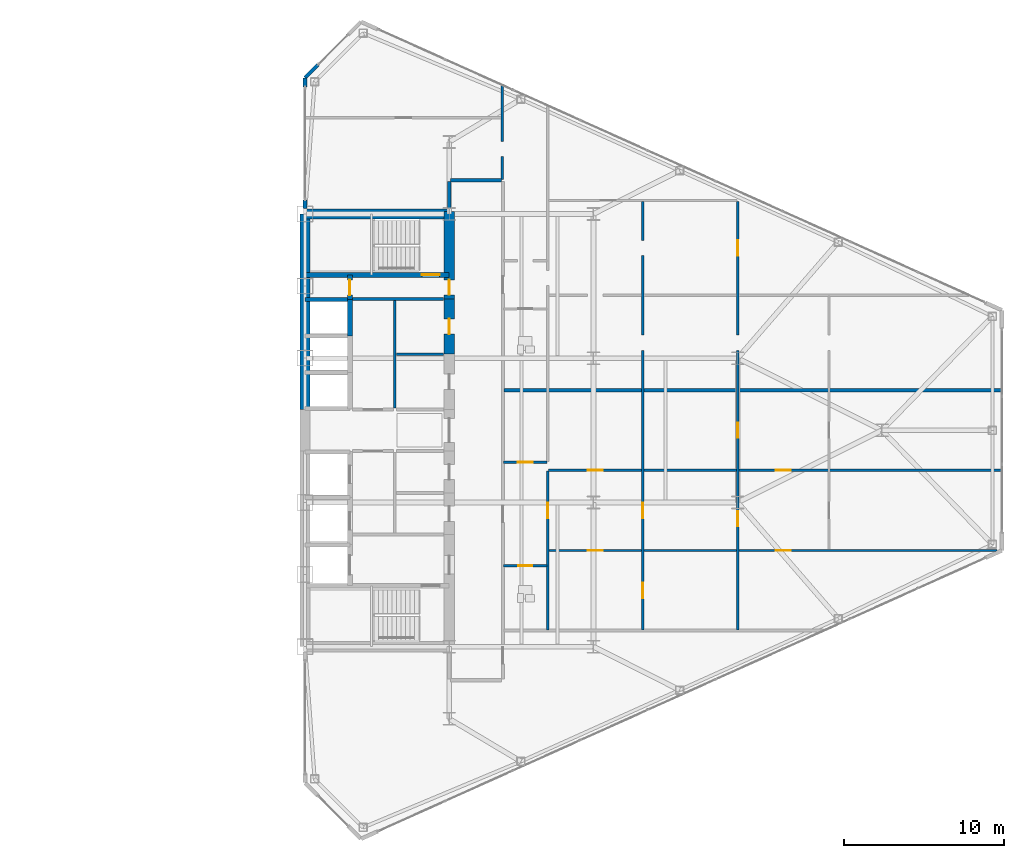
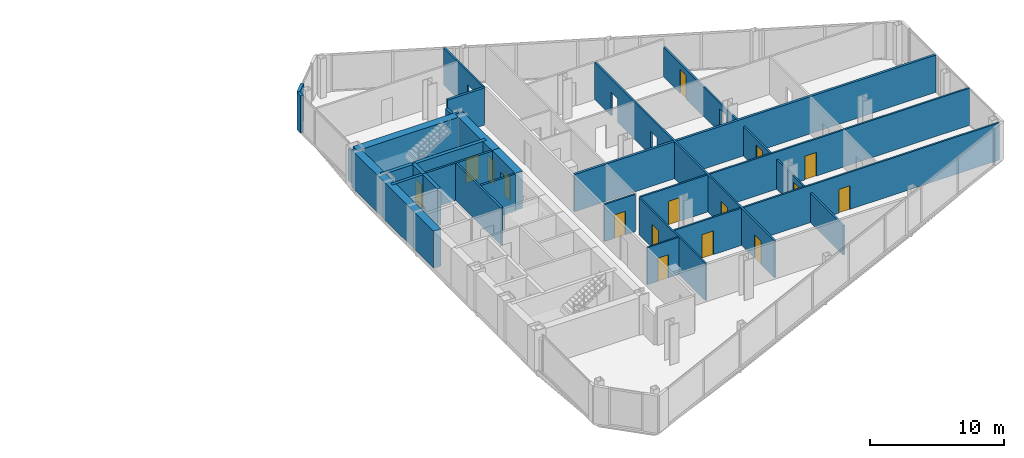
# One storey, part 23 of 27: 25 walls, 16 doors, 20 openings.
"""IFC4 building model written with IfcOpenShell, lengths in metres."""

from ifc_helpers import new_model, si_unit, direction, frame, frame_2d, origin, place, context, subcontext, project, spatial, rectangle, extrude, source, transform, mapped, material, layer, layer_set, type_object, type_shapes, element, fill, save


model = new_model("IFC4")

# Units and contexts
model_context = context("Model", 3, precision=1e-05, world=origin(), true_north=direction((0.0, 1.0)))
body_context = subcontext(model_context, "Body", "Model", "MODEL_VIEW")
ifc_project = project(units=[si_unit("LENGTHUNIT", "METRE"), si_unit("AREAUNIT", "SQUARE_METRE"), si_unit("VOLUMEUNIT", "CUBIC_METRE"), si_unit("PLANEANGLEUNIT", "RADIAN"), si_unit("MASSUNIT", "GRAM", prefix="KILO")], contexts=[model_context])

# Site, building, storey
site_placement = place(None, origin())
site = spatial("IfcSite", under=ifc_project, at=site_placement, CompositionType="ELEMENT")
building_placement = place(site_placement, origin())
building = spatial("IfcBuilding", under=site, at=building_placement, Name="Seokmaru Belvedere", CompositionType="ELEMENT")
storey_placement = place(building_placement, frame((0.0, 0.0, 96.0)))
storey = spatial("IfcBuildingStorey", under=building, at=storey_placement, Name="L25", CompositionType="ELEMENT", Elevation=96.0)

# Wall, openings, doors
ifc_material_1 = material(Name="Fire-Rated Gypsum Shaftwall")
ifc_layer_1 = layer(ifc_material_1, 0.14990234375)
ifc_layer_set_1 = layer_set([ifc_layer_1], Name="Fire-Rated Gypsum Shaftwall")
wall_type_1 = type_object("IfcWallType", Name="Apartment Fire-Acoustic Room Partition 150", PredefinedType="PARTITIONING", material=ifc_layer_set_1)
wall_1_placement = place(storey_placement, frame((42.699951171875, -7.5, 0.0), z_axis=(0.0, 0.0, 1.0), x_axis=(1.0, 0.0, 0.0)))
wall_1 = element("IfcWall", 1, at=wall_1_placement, inside=storey, type_object=wall_type_1, Name="L25 Interior Partition 008", PredefinedType="PARTITIONING", context=body_context, shape_type="SweptSolid", body=[
    extrude(rectangle(XDim=27.995361328125, YDim=0.14990234375, at=frame_2d((13.99755859375, 0.0))), origin(), (0.0, 0.0, 1.0), 3.3798828125),
])
opening_1_placement = place(wall_1_placement, frame((2.4375, 0.0, 0.0)))
opening_1 = element("IfcOpeningElement", 2, at=opening_1_placement, cuts=wall_1, Name="Opening D05", PredefinedType="OPENING", context=body_context, shape_type="SweptSolid", body=[
    extrude(rectangle(XDim=0.949951171875, YDim=2.14990234375, at=frame_2d((0.47509765625, 1.074951171875))), frame((0.0, 0.0849609375, 0.0), z_axis=(0.0, -1.0, 0.0), x_axis=(1.0, 0.0, 0.0)), (0.0, 0.0, 1.0), 0.169921875),
])
opening_2_placement = place(wall_1_placement, frame((14.175048828125, 0.0, 0.0)))
opening_2 = element("IfcOpeningElement", 3, at=opening_2_placement, cuts=wall_1, Name="Opening D05", PredefinedType="OPENING", context=body_context, shape_type="SweptSolid", body=[
    extrude(rectangle(XDim=0.949951171875, YDim=2.14990234375, at=frame_2d((0.47509765625, 1.074951171875))), frame((0.0, 0.0849609375, 0.0), z_axis=(0.0, -1.0, 0.0), x_axis=(1.0, 0.0, 0.0)), (0.0, 0.0, 1.0), 0.169921875),
])
ifc_material_2 = material(Name="Engineered White Oak Timber", Category="wood")
door_type_1 = type_object("IfcDoorType", Name="Apartment Interior Fire-Rated Oak Door 950x2150", OperationType="NOTDEFINED", PredefinedType="DOOR", material=ifc_material_2)
shared_shape_1 = source(origin(), body_context, "Body", "SweptSolid", [
    extrude(rectangle(XDim=0.949951171875, YDim=2.14990234375, at=frame_2d((0.47509765625, 1.074951171875))), frame((0.0, 0.02490234375, 0.0), z_axis=(0.0, -1.0, 0.0), x_axis=(1.0, 0.0, 0.0)), (0.0, 0.0, 1.0), 0.050048828125),
])
type_shapes(door_type_1, [shared_shape_1])
door_1_placement = place(opening_1_placement, origin())
door_1 = element("IfcDoor", 4, at=door_1_placement, inside=storey, type_object=door_type_1, Name="L25 Interior Door 039", OperationType="SINGLE_SWING_LEFT", OverallHeight=2.14990234375, OverallWidth=0.949951171875, PredefinedType="DOOR", context=body_context, shape_type="MappedRepresentation", body=[
    mapped(shared_shape_1, transform((0.0, 0.0, 0.0), scale=1.0)),
])
fill(opening_1, door_1)
door_2_placement = place(opening_2_placement, origin())
door_2 = element("IfcDoor", 5, at=door_2_placement, inside=storey, type_object=door_type_1, Name="L25 Interior Door 043", OperationType="SINGLE_SWING_RIGHT", OverallHeight=2.14990234375, OverallWidth=0.949951171875, PredefinedType="DOOR", context=body_context, shape_type="MappedRepresentation", body=[
    mapped(shared_shape_1, transform((0.0, 0.0, 0.0), scale=1.0)),
])
fill(opening_2, door_2)

wall_2_placement = place(storey_placement, frame((42.699951171875, -2.5, 0.0), z_axis=(0.0, 0.0, 1.0), x_axis=(1.0, 0.0, 0.0)))
wall_2 = element("IfcWall", 6, at=wall_2_placement, inside=storey, type_object=wall_type_1, Name="L25 Interior Partition 012", PredefinedType="PARTITIONING", context=body_context, shape_type="SweptSolid", body=[
    extrude(rectangle(XDim=28.3349609375, YDim=0.14990234375, at=frame_2d((14.16748046875, 0.0))), origin(), (0.0, 0.0, 1.0), 3.3798828125),
])
opening_3_placement = place(wall_2_placement, frame((2.4375, 0.0, 0.0)))
opening_3 = element("IfcOpeningElement", 7, at=opening_3_placement, cuts=wall_2, Name="Opening D05", PredefinedType="OPENING", context=body_context, shape_type="SweptSolid", body=[
    extrude(rectangle(XDim=0.949951171875, YDim=2.14990234375, at=frame_2d((0.47509765625, 1.074951171875))), frame((0.0, 0.0849609375, 0.0), z_axis=(0.0, -1.0, 0.0), x_axis=(1.0, 0.0, 0.0)), (0.0, 0.0, 1.0), 0.169921875),
])
opening_4_placement = place(wall_2_placement, frame((14.175048828125, 0.0, 0.0)))
opening_4 = element("IfcOpeningElement", 8, at=opening_4_placement, cuts=wall_2, Name="Opening D05", PredefinedType="OPENING", context=body_context, shape_type="SweptSolid", body=[
    extrude(rectangle(XDim=0.949951171875, YDim=2.14990234375, at=frame_2d((0.47509765625, 1.074951171875))), frame((0.0, 0.0849609375, 0.0), z_axis=(0.0, -1.0, 0.0), x_axis=(1.0, 0.0, 0.0)), (0.0, 0.0, 1.0), 0.169921875),
])
door_3_placement = place(opening_3_placement, origin())
door_3 = element("IfcDoor", 9, at=door_3_placement, inside=storey, type_object=door_type_1, Name="L25 Interior Door 041", OperationType="SINGLE_SWING_RIGHT", OverallHeight=2.14990234375, OverallWidth=0.949951171875, PredefinedType="DOOR", context=body_context, shape_type="MappedRepresentation", body=[
    mapped(shared_shape_1, transform((0.0, 0.0, 0.0), scale=1.0)),
])
fill(opening_3, door_3)
door_4_placement = place(opening_4_placement, origin())
door_4 = element("IfcDoor", 10, at=door_4_placement, inside=storey, type_object=door_type_1, Name="L25 Interior Door 045", OperationType="SINGLE_SWING_RIGHT", OverallHeight=2.14990234375, OverallWidth=0.949951171875, PredefinedType="DOOR", context=body_context, shape_type="MappedRepresentation", body=[
    mapped(shared_shape_1, transform((0.0, 0.0, 0.0), scale=1.0)),
])
fill(opening_4, door_4)

# Wall, opening, door
wall_3_placement = place(storey_placement, frame((39.89990234375, -2.0, 0.0), z_axis=(0.0, 0.0, 1.0), x_axis=(1.0, 0.0, 0.0)))
wall_3 = element("IfcWall", 11, at=wall_3_placement, inside=storey, type_object=wall_type_1, Name="L25 Interior Partition 013", PredefinedType="PARTITIONING", context=body_context, shape_type="SweptSolid", body=[
    extrude(rectangle(XDim=2.7001953125, YDim=0.14990234375, at=frame_2d((1.35009765625, 0.0))), origin(), (0.0, 0.0, 1.0), 3.3798828125),
])
opening_5_placement = place(wall_3_placement, frame((0.875, 0.0, 0.0)))
opening_5 = element("IfcOpeningElement", 12, at=opening_5_placement, cuts=wall_3, Name="Opening D05", PredefinedType="OPENING", context=body_context, shape_type="SweptSolid", body=[
    extrude(rectangle(XDim=0.949951171875, YDim=2.14990234375, at=frame_2d((0.47509765625, 1.074951171875))), frame((0.0, 0.0849609375, 0.0), z_axis=(0.0, -1.0, 0.0), x_axis=(1.0, 0.0, 0.0)), (0.0, 0.0, 1.0), 0.169921875),
])
door_5_placement = place(opening_5_placement, origin())
door_5 = element("IfcDoor", 13, at=door_5_placement, inside=storey, type_object=door_type_1, Name="L25 Interior Door 037", OperationType="SINGLE_SWING_RIGHT", OverallHeight=2.14990234375, OverallWidth=0.949951171875, PredefinedType="DOOR", context=body_context, shape_type="MappedRepresentation", body=[
    mapped(shared_shape_1, transform((0.0, 0.0, 0.0), scale=1.0)),
])
fill(opening_5, door_5)

# Wall, opening
wall_4_placement = place(storey_placement, frame((39.800048828125, 15.64990234375, 0.0), z_axis=(0.0, 0.0, 1.0), x_axis=(0.0, 1.0, 0.0)))
wall_4 = element("IfcWall", 14, at=wall_4_placement, inside=storey, type_object=wall_type_1, Name="L25 Interior Partition 045", PredefinedType="PARTITIONING", context=body_context, shape_type="SweptSolid", body=[
    extrude(rectangle(XDim=5.925048828125, YDim=0.14990234375, at=frame_2d((2.96240234375, 0.0))), origin(), (0.0, 0.0, 1.0), 3.3798828125),
])
opening_6_placement = place(wall_4_placement, frame((1.425048828125, 0.0, 0.0)))
element("IfcOpeningElement", 15, at=opening_6_placement, cuts=wall_4, Name="L25 Cased Opening 060", PredefinedType="OPENING", context=body_context, shape_type="SweptSolid", body=[
    extrude(rectangle(XDim=0.949951171875, YDim=2.14990234375, at=frame_2d((0.47509765625, 1.074951171875))), frame((0.0, 0.0849609375, 0.0), z_axis=(0.0, -1.0, 0.0), x_axis=(1.0, 0.0, 0.0)), (0.0, 0.0, 1.0), 0.169921875),
])

# Wall, openings, doors
wall_5_placement = place(storey_placement, frame((48.580078125, -12.449951171875, 0.0), z_axis=(0.0, 0.0, 1.0), x_axis=(0.0, 1.0, 0.0)))
wall_5 = element("IfcWall", 16, at=wall_5_placement, inside=storey, type_object=wall_type_1, Name="L25 Interior Partition 049", PredefinedType="PARTITIONING", context=body_context, shape_type="SweptSolid", body=[
    extrude(rectangle(XDim=26.738037109375, YDim=0.14990234375, at=frame_2d((13.369140625, 0.0))), origin(), (0.0, 0.0, 1.0), 3.3798828125),
])
opening_7_placement = place(wall_5_placement, frame((6.97509765625, 0.0, 0.0)))
opening_7 = element("IfcOpeningElement", 17, at=opening_7_placement, cuts=wall_5, Name="Opening D05", PredefinedType="OPENING", context=body_context, shape_type="SweptSolid", body=[
    extrude(rectangle(XDim=0.949951171875, YDim=2.14990234375, at=frame_2d((0.47509765625, 1.074951171875))), frame((0.0, 0.0849609375, 0.0), z_axis=(0.0, -1.0, 0.0), x_axis=(1.0, 0.0, 0.0)), (0.0, 0.0, 1.0), 0.169921875),
])
opening_8_placement = place(wall_5_placement, frame((1.97509765625, 0.0, 0.0)))
opening_8 = element("IfcOpeningElement", 18, at=opening_8_placement, cuts=wall_5, Name="Opening D05", PredefinedType="OPENING", context=body_context, shape_type="SweptSolid", body=[
    extrude(rectangle(XDim=0.949951171875, YDim=2.14990234375, at=frame_2d((0.47509765625, 1.074951171875))), frame((0.0, 0.0849609375, 0.0), z_axis=(0.0, -1.0, 0.0), x_axis=(1.0, 0.0, 0.0)), (0.0, 0.0, 1.0), 0.169921875),
])
opening_9_placement = place(wall_5_placement, frame((23.353759765625, 0.0, 0.0)))
element("IfcOpeningElement", 19, at=opening_9_placement, cuts=wall_5, Name="L25 Cased Opening 054", PredefinedType="OPENING", context=body_context, shape_type="SweptSolid", body=[
    extrude(rectangle(XDim=0.949951171875, YDim=2.14990234375, at=frame_2d((0.47509765625, 1.074951171875))), frame((0.0, 0.0849609375, 0.0), z_axis=(0.0, -1.0, 0.0), x_axis=(1.0, 0.0, 0.0)), (0.0, 0.0, 1.0), 0.169921875),
])
opening_10_placement = place(wall_5_placement, frame((17.4345703125, 0.0, 0.0)))
element("IfcOpeningElement", 20, at=opening_10_placement, cuts=wall_5, Name="L25 Cased Opening 057", PredefinedType="OPENING", context=body_context, shape_type="SweptSolid", body=[
    extrude(rectangle(XDim=0.949951171875, YDim=2.14990234375, at=frame_2d((0.47509765625, 1.074951171875))), frame((0.0, 0.0849609375, 0.0), z_axis=(0.0, -1.0, 0.0), x_axis=(1.0, 0.0, 0.0)), (0.0, 0.0, 1.0), 0.169921875),
])
door_6_placement = place(opening_7_placement, origin())
door_6 = element("IfcDoor", 21, at=door_6_placement, inside=storey, type_object=door_type_1, Name="L25 Interior Door 040", OperationType="SINGLE_SWING_RIGHT", OverallHeight=2.14990234375, OverallWidth=0.949951171875, PredefinedType="DOOR", context=body_context, shape_type="MappedRepresentation", body=[
    mapped(shared_shape_1, transform((0.0, 0.0, 0.0), scale=1.0)),
])
fill(opening_7, door_6)
door_7_placement = place(opening_8_placement, origin())
door_7 = element("IfcDoor", 22, at=door_7_placement, inside=storey, type_object=door_type_1, Name="L25 Interior Door 047", OperationType="SINGLE_SWING_LEFT", OverallHeight=2.14990234375, OverallWidth=0.949951171875, PredefinedType="DOOR", context=body_context, shape_type="MappedRepresentation", body=[
    mapped(shared_shape_1, transform((0.0, 0.0, 0.0), scale=1.0)),
])
fill(opening_8, door_7)

wall_6_placement = place(storey_placement, frame((54.5, -12.449951171875, 0.0), z_axis=(0.0, 0.0, 1.0), x_axis=(0.0, 1.0, 0.0)))
wall_6 = element("IfcWall", 23, at=wall_6_placement, inside=storey, type_object=wall_type_1, Name="L25 Interior Partition 050", PredefinedType="PARTITIONING", context=body_context, shape_type="SweptSolid", body=[
    extrude(rectangle(XDim=26.738037109375, YDim=0.14990234375, at=frame_2d((13.369140625, 0.0))), origin(), (0.0, 0.0, 1.0), 2.679931640625),
])
opening_11_placement = place(wall_6_placement, frame((6.4580078125, 0.0, 0.0)))
opening_11 = element("IfcOpeningElement", 24, at=opening_11_placement, cuts=wall_6, Name="Opening D05", PredefinedType="OPENING", context=body_context, shape_type="SweptSolid", body=[
    extrude(rectangle(XDim=0.949951171875, YDim=2.14990234375, at=frame_2d((0.47509765625, 1.074951171875))), frame((0.0, 0.0849609375, 0.0), z_axis=(0.0, -1.0, 0.0), x_axis=(1.0, 0.0, 0.0)), (0.0, 0.0, 1.0), 0.169921875),
])
opening_12_placement = place(wall_6_placement, frame((11.97509765625, 0.0, 0.0)))
opening_12 = element("IfcOpeningElement", 25, at=opening_12_placement, cuts=wall_6, Name="Opening D05", PredefinedType="OPENING", context=body_context, shape_type="SweptSolid", body=[
    extrude(rectangle(XDim=0.949951171875, YDim=2.14990234375, at=frame_2d((0.47509765625, 1.074951171875))), frame((0.0, 0.0849609375, 0.0), z_axis=(0.0, -1.0, 0.0), x_axis=(1.0, 0.0, 0.0)), (0.0, 0.0, 1.0), 0.169921875),
])
opening_13_placement = place(wall_6_placement, frame((23.353759765625, 0.0, 0.0)))
opening_13 = element("IfcOpeningElement", 26, at=opening_13_placement, cuts=wall_6, Name="Opening D05", PredefinedType="OPENING", context=body_context, shape_type="SweptSolid", body=[
    extrude(rectangle(XDim=0.949951171875, YDim=2.14990234375, at=frame_2d((0.47509765625, 1.074951171875))), frame((0.0, 0.0849609375, 0.0), z_axis=(0.0, -1.0, 0.0), x_axis=(1.0, 0.0, 0.0)), (0.0, 0.0, 1.0), 0.169921875),
])
opening_14_placement = place(wall_6_placement, frame((17.4345703125, 0.0, 0.0)))
element("IfcOpeningElement", 27, at=opening_14_placement, cuts=wall_6, Name="L25 Cased Opening 058", PredefinedType="OPENING", context=body_context, shape_type="SweptSolid", body=[
    extrude(rectangle(XDim=0.949951171875, YDim=2.14990234375, at=frame_2d((0.47509765625, 1.074951171875))), frame((0.0, 0.0849609375, 0.0), z_axis=(0.0, -1.0, 0.0), x_axis=(1.0, 0.0, 0.0)), (0.0, 0.0, 1.0), 0.169921875),
])
door_8_placement = place(opening_11_placement, origin())
door_8 = element("IfcDoor", 28, at=door_8_placement, inside=storey, type_object=door_type_1, Name="L25 Interior Door 042", OperationType="SINGLE_SWING_LEFT", OverallHeight=2.14990234375, OverallWidth=0.949951171875, PredefinedType="DOOR", context=body_context, shape_type="MappedRepresentation", body=[
    mapped(shared_shape_1, transform((0.0, 0.0, 0.0), scale=1.0)),
])
fill(opening_11, door_8)
door_9_placement = place(opening_12_placement, origin())
door_9 = element("IfcDoor", 29, at=door_9_placement, inside=storey, type_object=door_type_1, Name="L25 Interior Door 048", OperationType="SINGLE_SWING_RIGHT", OverallHeight=2.14990234375, OverallWidth=0.949951171875, PredefinedType="DOOR", context=body_context, shape_type="MappedRepresentation", body=[
    mapped(shared_shape_1, transform((0.0, 0.0, 0.0), scale=1.0)),
])
fill(opening_12, door_9)
door_10_placement = place(opening_13_placement, origin())
door_10 = element("IfcDoor", 30, at=door_10_placement, inside=storey, type_object=door_type_1, Name="L25 Interior Door 056", OperationType="SINGLE_SWING_LEFT", OverallHeight=2.14990234375, OverallWidth=0.949951171875, PredefinedType="DOOR", context=body_context, shape_type="MappedRepresentation", body=[
    mapped(shared_shape_1, transform((0.0, 0.0, 0.0), scale=1.0)),
])
fill(opening_13, door_10)

# Walls
ifc_layer_2 = layer(ifc_material_1, 0.179931640625)
ifc_layer_set_2 = layer_set([ifc_layer_2], Name="Fire-Rated Gypsum Shaftwall")
wall_type_2 = type_object("IfcWallType", Name="Core Service Fire Partition 180", PredefinedType="PARTITIONING", material=ifc_layer_set_2)
wall_7_placement = place(storey_placement, frame((30.449951171875, 8.199951171875, 0.0), z_axis=(0.0, 0.0, 1.0), x_axis=(1.0, 0.0, 0.0)))
element("IfcWall", 31, at=wall_7_placement, inside=storey, type_object=wall_type_2, Name="L25 East Smokeproof Vestibule Partition", PredefinedType="PARTITIONING", context=body_context, shape_type="SweptSolid", body=[
    extrude(rectangle(XDim=5.699951171875, YDim=0.179931640625, at=frame_2d((2.85009765625, 0.0))), origin(), (0.0, 0.0, 1.0), 3.3798828125),
])
wall_8_placement = place(storey_placement, frame((33.10009765625, 1.3798828125, 0.0), z_axis=(0.0, 0.0, 1.0), x_axis=(0.0, 1.0, 0.0)))
element("IfcWall", 32, at=wall_8_placement, inside=storey, type_object=wall_type_2, Name="L25 East North Core Service Back Wall", PredefinedType="PARTITIONING", context=body_context, shape_type="SweptSolid", body=[
    extrude(rectangle(XDim=6.740234375, YDim=0.179931640625, at=frame_2d((3.3701171875, 0.0))), origin(), (0.0, 0.0, 1.0), 3.3798828125),
])
wall_9_placement = place(storey_placement, frame((33.199951171875, 4.75, 0.0), z_axis=(0.0, 0.0, 1.0), x_axis=(1.0, 0.0, 0.0)))
element("IfcWall", 33, at=wall_9_placement, inside=storey, type_object=wall_type_2, Name="L25 East Core Service Partition 2", PredefinedType="PARTITIONING", context=body_context, shape_type="SweptSolid", body=[
    extrude(rectangle(XDim=2.949951171875, YDim=0.179931640625, at=frame_2d((1.47509765625, 0.0))), origin(), (0.0, 0.0, 1.0), 3.3798828125),
])
ifc_material_3 = material(Name="Concrete C50 (50 MPa)", Category="concrete")
ifc_layer_3 = layer(ifc_material_3, 0.25)
ifc_layer_set_3 = layer_set([ifc_layer_3], Name="Concrete C50 (50 MPa)")
wall_type_3 = type_object("IfcWallType", Name="Hoistway Transverse Concrete Divider Wall 250", PredefinedType="SHEAR", material=ifc_layer_set_3)
wall_10_placement = place(storey_placement, frame((27.5, 8.14990234375, 0.0), z_axis=(0.0, 0.0, 1.0), x_axis=(1.0, 0.0, 0.0)))
element("IfcWall", 34, at=wall_10_placement, inside=storey, type_object=wall_type_3, Name="L25 East Hoistway Divider Core Wall 7", PredefinedType="SHEAR", context=body_context, shape_type="SweptSolid", body=[
    extrude(rectangle(XDim=2.800048828125, YDim=0.25, at=frame_2d((1.39990234375, 0.0))), origin(), (0.0, 0.0, 1.0), 3.3798828125),
])
ifc_layer_4 = layer(ifc_material_1, 0.199951171875)
ifc_layer_set_4 = layer_set([ifc_layer_4], Name="Fire-Rated Gypsum Shaftwall")
wall_type_4 = type_object("IfcWallType", Name="Inter-Tenancy Fire Compartment Partition 200", PredefinedType="PARTITIONING", material=ifc_layer_set_4)
wall_11_placement = place(storey_placement, frame((39.929931640625, 2.5, 0.0), z_axis=(0.0, 0.0, 1.0), x_axis=(1.0, 0.0, 0.0)))
element("IfcWall", 35, at=wall_11_placement, inside=storey, type_object=wall_type_4, Name="L25 Interior Partition 016", PredefinedType="PARTITIONING", context=body_context, shape_type="SweptSolid", body=[
    extrude(rectangle(XDim=31.074951171875, YDim=0.199951171875, at=frame_2d((15.53759765625, 0.0))), origin(), (0.0, 0.0, 1.0), 3.3798828125),
])
wall_12_placement = place(storey_placement, frame((36.5849609375, 15.60009765625, 0.0), z_axis=(0.0, 0.0, 1.0), x_axis=(1.0, 0.0, 0.0)))
element("IfcWall", 36, at=wall_12_placement, inside=storey, type_object=wall_type_4, Name="L25 Interior Partition 028", PredefinedType="PARTITIONING", context=body_context, shape_type="SweptSolid", body=[
    extrude(rectangle(XDim=3.179931640625, YDim=0.199951171875, at=frame_2d((1.58984375, 0.0))), origin(), (0.0, 0.0, 1.0), 3.3798828125),
])
wall_13_placement = place(storey_placement, frame((36.5, 13.830078125, 0.0), z_axis=(0.0, 0.0, 1.0), x_axis=(0.0, 1.0, 0.0)))
element("IfcWall", 37, at=wall_13_placement, inside=storey, type_object=wall_type_4, Name="L25 Interior Partition 044", PredefinedType="PARTITIONING", context=body_context, shape_type="SweptSolid", body=[
    extrude(rectangle(XDim=1.684814453125, YDim=0.199951171875, at=frame_2d((0.84228515625, 0.0))), origin(), (0.0, 0.0, 1.0), 2.679931640625),
])

# Wall, opening, door
ifc_layer_5 = layer(ifc_material_3, 0.300048828125)
ifc_layer_set_5 = layer_set([ifc_layer_5], Name="Concrete C50 (50 MPa)")
wall_type_5 = type_object("IfcWallType", Name="Internal Core Stair and Hoistway Wall 300", PredefinedType="SHEAR", material=ifc_layer_set_5)
wall_14_placement = place(storey_placement, frame((27.5, 9.699951171875, 0.0), z_axis=(0.0, 0.0, 1.0), x_axis=(1.0, 0.0, 0.0)))
wall_14 = element("IfcWall", 38, at=wall_14_placement, inside=storey, type_object=wall_type_5, Name="L25 East Stair ST-2 Enclosure Wall", PredefinedType="SHEAR", context=body_context, shape_type="SweptSolid", body=[
    extrude(rectangle(XDim=9.0, YDim=0.300048828125, at=frame_2d((4.5, 0.0))), origin(), (0.0, 0.0, 1.0), 3.3798828125),
])
opening_15_placement = place(wall_14_placement, frame((7.300048828125, 0.0, 0.0)))
opening_15 = element("IfcOpeningElement", 39, at=opening_15_placement, cuts=wall_14, Name="Opening D01", PredefinedType="OPENING", context=body_context, shape_type="SweptSolid", body=[
    extrude(rectangle(XDim=1.10009765625, YDim=2.199951171875, at=frame_2d((0.550048828125, 1.10009765625))), frame((0.0, 0.16015625, 0.0), z_axis=(0.0, -1.0, 0.0), x_axis=(1.0, 0.0, 0.0)), (0.0, 0.0, 1.0), 0.320068359375),
])
ifc_material_4 = material(Name="Fire-Rated Steel Leaf", Category="steel")
door_type_2 = type_object("IfcDoorType", Name="Special Escape Stair Smokeproof Fire Door 1100x2200", OperationType="NOTDEFINED", PredefinedType="DOOR", material=ifc_material_4)
shared_shape_2 = source(origin(), body_context, "Body", "SweptSolid", [
    extrude(rectangle(XDim=1.10009765625, YDim=2.199951171875, at=frame_2d((0.550048828125, 1.10009765625))), frame((0.0, 0.02490234375, 0.0), z_axis=(0.0, -1.0, 0.0), x_axis=(1.0, 0.0, 0.0)), (0.0, 0.0, 1.0), 0.050048828125),
])
type_shapes(door_type_2, [shared_shape_2])
door_11_placement = place(opening_15_placement, origin())
door_11 = element("IfcDoor", 40, at=door_11_placement, inside=storey, type_object=door_type_2, Name="L25 East Special Escape Stair ST-2 Door", OperationType="SINGLE_SWING_LEFT", OverallHeight=2.199951171875, OverallWidth=1.10009765625, PredefinedType="DOOR", context=body_context, shape_type="MappedRepresentation", body=[
    mapped(shared_shape_2, transform((0.0, 0.0, 0.0), scale=1.0)),
])
fill(opening_15, door_11)

# Wall
wall_15_placement = place(storey_placement, frame((30.300048828125, 5.89990234375, 0.0), z_axis=(0.0, 0.0, 1.0), x_axis=(0.0, 1.0, 0.0)))
element("IfcWall", 41, at=wall_15_placement, inside=storey, type_object=wall_type_5, Name="L25 East North Hoistway Wall OBS", PredefinedType="SHEAR", context=body_context, shape_type="SweptSolid", body=[
    extrude(rectangle(XDim=2.25, YDim=0.300048828125, at=frame_2d((1.125, 0.0))), origin(), (0.0, 0.0, 1.0), 3.3798828125),
])

# Wall, opening, door
wall_16_placement = place(storey_placement, frame((30.300048828125, 8.14990234375, 0.0), z_axis=(0.0, 0.0, 1.0), x_axis=(0.0, 1.0, 0.0)))
wall_16 = element("IfcWall", 42, at=wall_16_placement, inside=storey, type_object=wall_type_5, Name="L25 East Electrical Riser Front Wall", PredefinedType="SHEAR", context=body_context, shape_type="SweptSolid", body=[
    extrude(rectangle(XDim=1.530029296875, YDim=0.300048828125, at=frame_2d((0.76513671875, 0.0))), origin(), (0.0, 0.0, 1.0), 3.3798828125),
])
opening_16_placement = place(wall_16_placement, frame((0.284912109375, 0.0, 0.0)))
opening_16 = element("IfcOpeningElement", 43, at=opening_16_placement, cuts=wall_16, Name="Opening D04", PredefinedType="OPENING", context=body_context, shape_type="SweptSolid", body=[
    extrude(rectangle(XDim=0.949951171875, YDim=2.14990234375, at=frame_2d((0.47509765625, 1.074951171875))), frame((0.0, 0.16015625, 0.0), z_axis=(0.0, -1.0, 0.0), x_axis=(1.0, 0.0, 0.0)), (0.0, 0.0, 1.0), 0.320068359375),
])
door_type_3 = type_object("IfcDoorType", Name="Core Service Room Fire Door 950x2150", OperationType="NOTDEFINED", PredefinedType="DOOR", material=ifc_material_4)
shared_shape_3 = source(origin(), body_context, "Body", "SweptSolid", [
    extrude(rectangle(XDim=0.949951171875, YDim=2.14990234375, at=frame_2d((0.47509765625, 1.074951171875))), frame((0.0, 0.02490234375, 0.0), z_axis=(0.0, -1.0, 0.0), x_axis=(1.0, 0.0, 0.0)), (0.0, 0.0, 1.0), 0.050048828125),
])
type_shapes(door_type_3, [shared_shape_3])
door_12_placement = place(opening_16_placement, origin())
door_12 = element("IfcDoor", 44, at=door_12_placement, inside=storey, type_object=door_type_3, Name="L25 East Electrical Riser Access Door", OperationType="SINGLE_SWING_RIGHT", OverallHeight=2.14990234375, OverallWidth=0.949951171875, PredefinedType="DOOR", context=body_context, shape_type="MappedRepresentation", body=[
    mapped(shared_shape_3, transform((0.0, 0.0, 0.0), scale=1.0)),
])
fill(opening_16, door_12)

# Walls
ifc_material_5 = material(Name="Concrete C60 (60 MPa)", Category="concrete")
ifc_layer_6 = layer(ifc_material_5, 0.64990234375)
ifc_layer_set_6 = layer_set([ifc_layer_6], Name="Concrete C60 (60 MPa)")
wall_type_6 = type_object("IfcWallType", Name="Mid-Low Reinforced Concrete Core Wall 650", PredefinedType="SHEAR", material=ifc_layer_set_6)
wall_17_placement = place(storey_placement, frame((27.5, 1.300048828125, 0.0), z_axis=(0.0, 0.0, 1.0), x_axis=(0.0, 1.0, 0.0)))
element("IfcWall", 45, at=wall_17_placement, inside=storey, type_object=wall_type_6, Name="L25 East Portal Spine Core Wall North", PredefinedType="SHEAR", context=body_context, shape_type="SweptSolid", body=[
    extrude(rectangle(XDim=12.199951171875, YDim=0.64990234375, at=frame_2d((6.10009765625, 0.0))), origin(), (0.0, 0.0, 1.0), 3.3798828125),
])
wall_18_placement = place(storey_placement, frame((27.5, 13.5, 0.0), z_axis=(0.0, 0.0, 1.0), x_axis=(1.0, 0.0, 0.0)))
element("IfcWall", 46, at=wall_18_placement, inside=storey, type_object=wall_type_6, Name="L25 East North Core Wall", PredefinedType="SHEAR", context=body_context, shape_type="SweptSolid", body=[
    extrude(rectangle(XDim=9.0, YDim=0.64990234375, at=frame_2d((4.5, 0.0))), origin(), (0.0, 0.0, 1.0), 3.3798828125),
])

# Wall, opening, door
wall_19_placement = place(storey_placement, frame((36.5, 8.199951171875, 0.0), z_axis=(0.0, 0.0, 1.0), x_axis=(0.0, 1.0, 0.0)))
wall_19 = element("IfcWall", 47, at=wall_19_placement, inside=storey, type_object=wall_type_6, Name="L25 East West Core Wall VST", PredefinedType="SHEAR", context=body_context, shape_type="SweptSolid", body=[
    extrude(rectangle(XDim=5.449951171875, YDim=0.64990234375, at=frame_2d((2.72509765625, 0.0))), origin(), (0.0, 0.0, 1.0), 3.3798828125),
])
opening_17_placement = place(wall_19_placement, frame((0.2451171875, 0.0, 0.0)))
opening_17 = element("IfcOpeningElement", 48, at=opening_17_placement, cuts=wall_19, Name="Opening D04", PredefinedType="OPENING", context=body_context, shape_type="SweptSolid", body=[
    extrude(rectangle(XDim=0.949951171875, YDim=2.14990234375, at=frame_2d((0.47509765625, 1.074951171875))), frame((0.0, 0.3349609375, 0.0), z_axis=(0.0, -1.0, 0.0), x_axis=(1.0, 0.0, 0.0)), (0.0, 0.0, 1.0), 0.669921875),
])
door_13_placement = place(opening_17_placement, origin())
door_13 = element("IfcDoor", 49, at=door_13_placement, inside=storey, type_object=door_type_3, Name="L25 East Smokeproof Vestibule Door", OperationType="SINGLE_SWING_LEFT", OverallHeight=2.14990234375, OverallWidth=0.949951171875, PredefinedType="DOOR", context=body_context, shape_type="MappedRepresentation", body=[
    mapped(shared_shape_3, transform((0.0, 0.0, 0.0), scale=1.0)),
])
fill(opening_17, door_13)

wall_20_placement = place(storey_placement, frame((36.5, 4.75, 0.0), z_axis=(0.0, 0.0, 1.0), x_axis=(0.0, 1.0, 0.0)))
wall_20 = element("IfcWall", 50, at=wall_20_placement, inside=storey, type_object=wall_type_6, Name="L25 East West Core Wall CS4", PredefinedType="SHEAR", context=body_context, shape_type="SweptSolid", body=[
    extrude(rectangle(XDim=3.449951171875, YDim=0.64990234375, at=frame_2d((1.72509765625, 0.0))), origin(), (0.0, 0.0, 1.0), 3.3798828125),
])
opening_18_placement = place(wall_20_placement, frame((1.25, 0.0, 0.0)))
opening_18 = element("IfcOpeningElement", 51, at=opening_18_placement, cuts=wall_20, Name="Opening D04", PredefinedType="OPENING", context=body_context, shape_type="SweptSolid", body=[
    extrude(rectangle(XDim=0.949951171875, YDim=2.14990234375, at=frame_2d((0.47509765625, 1.074951171875))), frame((0.0, 0.3349609375, 0.0), z_axis=(0.0, -1.0, 0.0), x_axis=(1.0, 0.0, 0.0)), (0.0, 0.0, 1.0), 0.669921875),
])
door_14_placement = place(opening_18_placement, origin())
door_14 = element("IfcDoor", 52, at=door_14_placement, inside=storey, type_object=door_type_3, Name="L25 East Core Service Room Door 4", OperationType="SINGLE_SWING_LEFT", OverallHeight=2.14990234375, OverallWidth=0.949951171875, PredefinedType="DOOR", context=body_context, shape_type="MappedRepresentation", body=[
    mapped(shared_shape_3, transform((0.0, 0.0, 0.0), scale=1.0)),
])
fill(opening_18, door_14)

ifc_layer_7 = layer(ifc_material_1, 0.1298828125)
ifc_layer_set_7 = layer_set([ifc_layer_7], Name="Fire-Rated Gypsum Shaftwall")
wall_type_7 = type_object("IfcWallType", Name="Moisture-Resistant Fire-Rated Bathroom Partition 130", PredefinedType="PARTITIONING", material=ifc_layer_set_7)
wall_21_placement = place(storey_placement, frame((39.89990234375, -8.449951171875, 0.0), z_axis=(0.0, 0.0, 1.0), x_axis=(1.0, 0.0, 0.0)))
wall_21 = element("IfcWall", 53, at=wall_21_placement, inside=storey, type_object=wall_type_7, Name="L25 Interior Partition 007", PredefinedType="PARTITIONING", context=body_context, shape_type="SweptSolid", body=[
    extrude(rectangle(XDim=2.7001953125, YDim=0.1298828125, at=frame_2d((1.35009765625, 0.0))), origin(), (0.0, 0.0, 1.0), 3.3798828125),
])
opening_19_placement = place(wall_21_placement, frame((0.909912109375, 0.0, 0.0)))
opening_19 = element("IfcOpeningElement", 54, at=opening_19_placement, cuts=wall_21, Name="Opening D06", PredefinedType="OPENING", context=body_context, shape_type="SweptSolid", body=[
    extrude(rectangle(XDim=0.8798828125, YDim=2.10009765625, at=frame_2d((0.43994140625, 1.050048828125))), frame((0.0, 0.074951171875, 0.0), z_axis=(0.0, -1.0, 0.0), x_axis=(1.0, 0.0, 0.0)), (0.0, 0.0, 1.0), 0.14990234375),
])
door_type_4 = type_object("IfcDoorType", Name="Bathroom and Restroom Fire-Rated Door 880x2100", OperationType="NOTDEFINED", PredefinedType="DOOR", material=ifc_material_2)
shared_shape_4 = source(origin(), body_context, "Body", "SweptSolid", [
    extrude(rectangle(XDim=0.8798828125, YDim=2.10009765625, at=frame_2d((0.43994140625, 1.050048828125))), frame((0.0, 0.02490234375, 0.0), z_axis=(0.0, -1.0, 0.0), x_axis=(1.0, 0.0, 0.0)), (0.0, 0.0, 1.0), 0.050048828125),
])
type_shapes(door_type_4, [shared_shape_4])
door_15_placement = place(opening_19_placement, origin())
door_15 = element("IfcDoor", 55, at=door_15_placement, inside=storey, type_object=door_type_4, Name="L25 Interior Door 036", OperationType="SINGLE_SWING_RIGHT", OverallHeight=2.10009765625, OverallWidth=0.8798828125, PredefinedType="DOOR", context=body_context, shape_type="MappedRepresentation", body=[
    mapped(shared_shape_4, transform((0.0, 0.0, 0.0), scale=1.0)),
])
fill(opening_19, door_15)

wall_22_placement = place(storey_placement, frame((42.64990234375, -12.449951171875, 0.0), z_axis=(0.0, 0.0, 1.0), x_axis=(0.0, 1.0, 0.0)))
wall_22 = element("IfcWall", 56, at=wall_22_placement, inside=storey, type_object=wall_type_7, Name="L25 Interior Partition 047", PredefinedType="PARTITIONING", context=body_context, shape_type="SweptSolid", body=[
    extrude(rectangle(XDim=9.89990234375, YDim=0.1298828125, at=frame_2d((4.949951171875, 0.0))), origin(), (0.0, 0.0, 1.0), 3.3798828125),
])
opening_20_placement = place(wall_22_placement, frame((6.97509765625, 0.0, 0.0)))
opening_20 = element("IfcOpeningElement", 57, at=opening_20_placement, cuts=wall_22, Name="Opening D05", PredefinedType="OPENING", context=body_context, shape_type="SweptSolid", body=[
    extrude(rectangle(XDim=0.949951171875, YDim=2.14990234375, at=frame_2d((0.47509765625, 1.074951171875))), frame((0.0, 0.074951171875, 0.0), z_axis=(0.0, -1.0, 0.0), x_axis=(1.0, 0.0, 0.0)), (0.0, 0.0, 1.0), 0.14990234375),
])
door_16_placement = place(opening_20_placement, origin())
door_16 = element("IfcDoor", 58, at=door_16_placement, inside=storey, type_object=door_type_1, Name="L25 Interior Door 038", OperationType="SINGLE_SWING_LEFT", OverallHeight=2.14990234375, OverallWidth=0.949951171875, PredefinedType="DOOR", context=body_context, shape_type="MappedRepresentation", body=[
    mapped(shared_shape_1, transform((0.0, 0.0, 0.0), scale=1.0)),
])
fill(opening_20, door_16)

# Walls
ifc_material_6 = material(Name="Anodised Bronze Aluminium", Category="aluminium")
ifc_layer_8 = layer(ifc_material_6, 0.239990234375)
ifc_layer_set_8 = layer_set([ifc_layer_8], Name="Anodised Bronze Aluminium")
wall_type_8 = type_object("IfcWallType", Name="Tower Corner Spandrel Closure Wall 240", PredefinedType="SOLIDWALL", material=ifc_layer_set_8)
wall_23_placement = place(storey_placement, frame((28.313232421875, 22.813232421875, 0.0), z_axis=(0.0, 0.0, 1.0), x_axis=(-0.707106781187, -0.707106781187, 0.0)))
element("IfcWall", 59, at=wall_23_placement, inside=storey, type_object=wall_type_8, Name="L25 E Corner Closure Pier 4B", PredefinedType="SOLIDWALL", context=body_context, shape_type="SweptSolid", body=[
    extrude(rectangle(XDim=1.14013671875, YDim=0.239990234375, at=frame_2d((0.570068359375, 0.0))), origin(), (0.0, 0.0, 1.0), 3.3798828125),
])
wall_24_placement = place(storey_placement, frame((27.5, 13.830078125, 0.0), z_axis=(0.0, 0.0, 1.0), x_axis=(0.0, 1.0, 0.0)))
element("IfcWall", 60, at=wall_24_placement, inside=storey, type_object=wall_type_8, Name="L25 E Spine Closure Pier 2A", PredefinedType="SOLIDWALL", context=body_context, shape_type="SweptSolid", body=[
    extrude(rectangle(XDim=0.5498046875, YDim=0.239990234375, at=frame_2d((0.27490234375, 0.0))), origin(), (0.0, 0.0, 1.0), 2.8798828125),
])
wall_25_placement = place(storey_placement, frame((27.5, 21.429931640625, 0.0), z_axis=(0.0, 0.0, 1.0), x_axis=(0.0, 1.0, 0.0)))
element("IfcWall", 61, at=wall_25_placement, inside=storey, type_object=wall_type_8, Name="L25 E Spine Closure Pier 2B", PredefinedType="SOLIDWALL", context=body_context, shape_type="SweptSolid", body=[
    extrude(rectangle(XDim=0.550048828125, YDim=0.239990234375, at=frame_2d((0.27490234375, 0.0))), origin(), (0.0, 0.0, 1.0), 3.3798828125),
])

save(model, "model.ifc")
